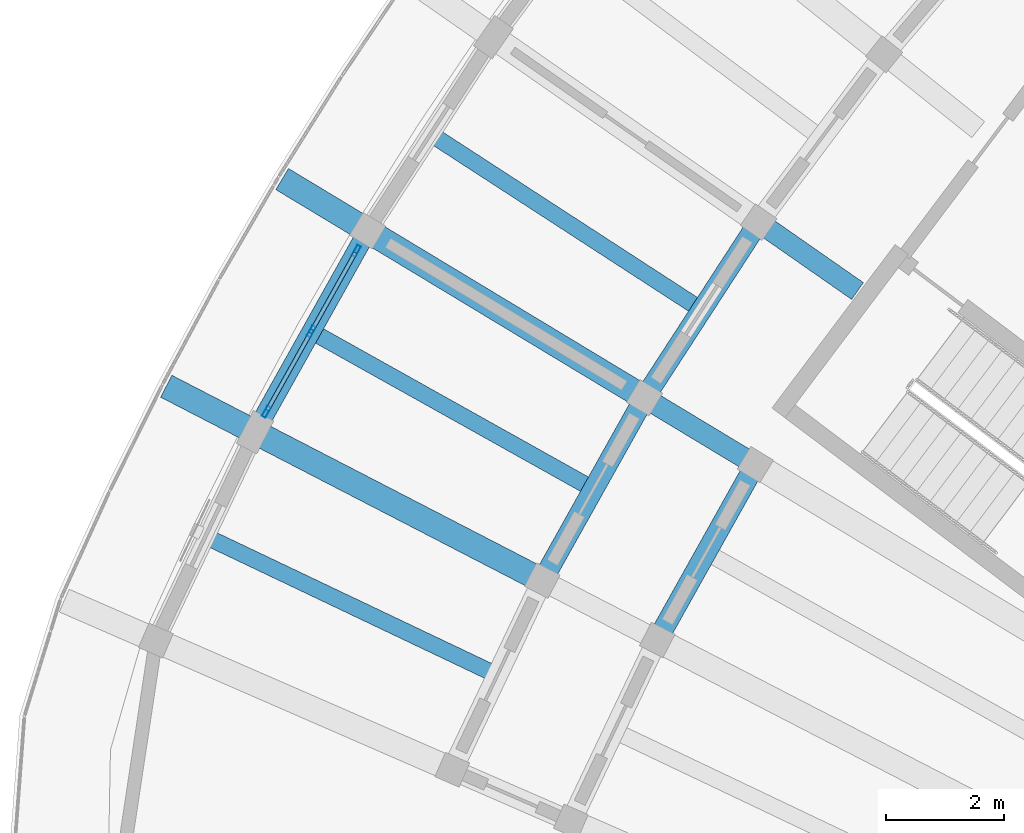
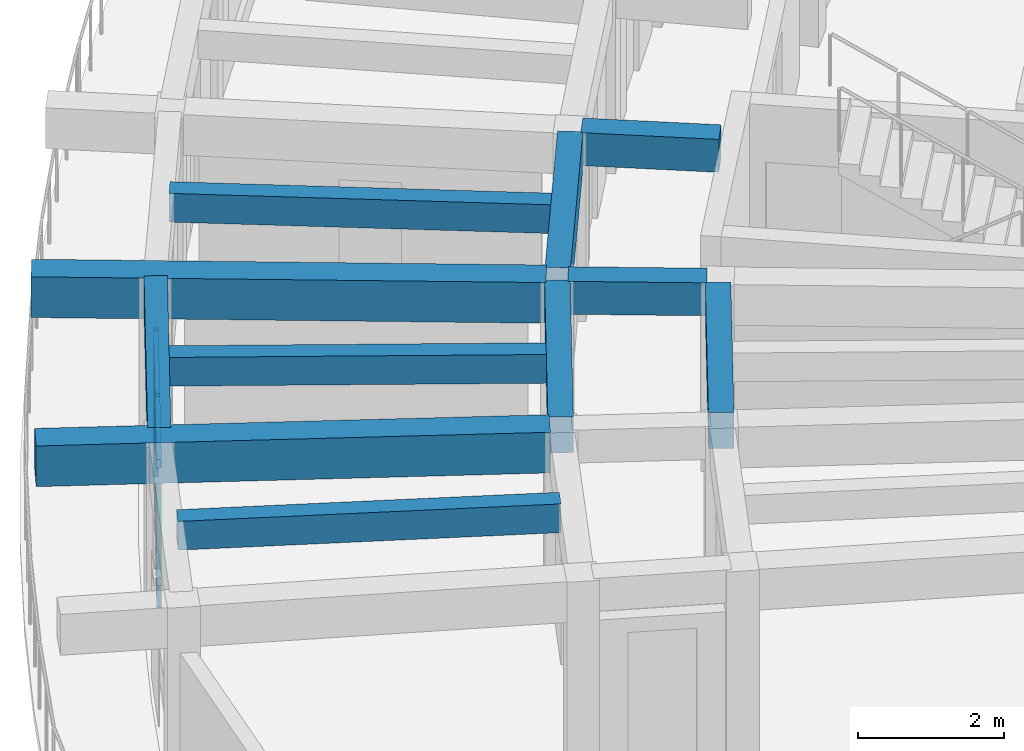
# One storey, part 3 of 36: 11 beams, 9 members, 1 element without a shape of its own.
"""IFC4 building model written with IfcOpenShell, lengths in metres."""

from ifc_helpers import new_model, si_unit, direction, frame, origin, origin_2d, place, context, subcontext, project, spatial, rectangle, hollow_rectangle, extrude, material, material_profile, profile_set, type_object, element, aggregate, save


model = new_model("IFC4")

# Units and contexts
model_context = context("Model", 3, precision=1e-05, world=origin(), true_north=direction((0.0, 1.0)))
body_context = subcontext(model_context, "Body", "Model", "MODEL_VIEW")
ifc_project = project(units=[si_unit("LENGTHUNIT", "METRE"), si_unit("AREAUNIT", "SQUARE_METRE"), si_unit("VOLUMEUNIT", "CUBIC_METRE"), si_unit("PLANEANGLEUNIT", "RADIAN"), si_unit("MASSUNIT", "GRAM", prefix="KILO")], contexts=[model_context])

# Site, building, storey
site_placement = place(None, origin())
site = spatial("IfcSite", under=ifc_project, at=site_placement, CompositionType="ELEMENT")
building_placement = place(site_placement, origin())
building = spatial("IfcBuilding", under=site, at=building_placement, Name="Tanwirah Colonnade Gardens", CompositionType="ELEMENT")
storey_placement = place(building_placement, frame((0.0, 0.0, 39.080078125)))
storey = spatial("IfcBuildingStorey", under=building, at=storey_placement, Name="L11", CompositionType="ELEMENT", Elevation=39.080078125)

# Beams
ifc_material_1 = material(Name="Precast concrete C40/50", Category="concrete")
ifc_material_profile_1 = material_profile(ifc_material_1, rectangle(XDim=0.35009765625, YDim=0.550048828125, at=origin_2d()), Name="PC-BM 350x550")
ifc_profile_set_1 = profile_set([ifc_material_profile_1], Name="Precast concrete C40/50")
beam_type_1 = type_object("IfcBeamType", Name="BM-PC350A", PredefinedType="BEAM", material=ifc_profile_set_1)
for number, where, z_axis, x_axis, name in (
    (1, (22.346435546875, 89.943359375, 2.844970703125), (-0.820305001782, 0.571926309983, 0.0), (-0.571926309983, -0.820305001782, 0.0), "Block A L11 Corridor Tie Beam 13"),
    (2, (20.479248046875, 87.068359375, 2.844970703125), (-0.856174920318, 0.516686080534, 0.0), (-0.516686080534, -0.856174920318, 0.0), "Block A L11 Corridor Tie Beam 14"),
):
    element("IfcBeam", number, at=place(storey_placement, frame(where, z_axis=z_axis, x_axis=x_axis)), inside=storey, type_object=beam_type_1, Name=name, PredefinedType="BEAM", context=body_context, shape_type="SweptSolid", body=[
        extrude(rectangle(XDim=0.35009765625, YDim=0.550048828125, at=origin_2d()), origin(), (0.0, 0.0, 1.0), 1.89990234375),
    ])
ifc_material_profile_2 = material_profile(ifc_material_1, rectangle(XDim=0.35009765625, YDim=0.60009765625, at=origin_2d()), Name="PC-BM 350x600")
ifc_profile_set_2 = profile_set([ifc_material_profile_2], Name="Precast concrete C40/50")
beam_type_2 = type_object("IfcBeamType", Name="BM-PC350B", PredefinedType="BEAM", material=ifc_profile_set_2)
beam_1_placement = place(storey_placement, frame((20.5830078125, 90.989990234375, 2.81982421875), z_axis=(-0.544627998385, -0.838677735114, 0.0), x_axis=(0.838677735114, -0.544627998385, 0.0)))
element("IfcBeam", 3, at=beam_1_placement, inside=storey, type_object=beam_type_2, Name="Block A L11 Circumferential Beam 13-R2", PredefinedType="BEAM", context=body_context, shape_type="SweptSolid", body=[
    extrude(rectangle(XDim=0.35009765625, YDim=0.60009765625, at=origin_2d()), origin(), (0.0, 0.0, 1.0), 3.262939453125),
])
beam_2_placement = place(storey_placement, frame((20.534423828125, 86.85986328125, 2.81982421875), z_axis=(-0.488200372352, -0.872731571811, 0.0), x_axis=(0.872731571811, -0.488200372352, 0.0)))
element("IfcBeam", 4, at=beam_2_placement, inside=storey, type_object=beam_type_2, Name="Block A L11 Circumferential Beam 14-R1", PredefinedType="BEAM", context=body_context, shape_type="SweptSolid", body=[
    extrude(rectangle(XDim=0.35009765625, YDim=0.60009765625, at=origin_2d()), origin(), (0.0, 0.0, 1.0), 3.117919921875),
])
beam_3_placement = place(storey_placement, frame((18.65087890625, 87.99658203125, 2.81982421875), z_axis=(-0.488213717102, -0.87272410671, 0.0), x_axis=(0.87272410671, -0.488213717102, 0.0)))
element("IfcBeam", 5, at=beam_3_placement, inside=storey, type_object=beam_type_2, Name="Block A L11 Circumferential Beam 14-R2", PredefinedType="BEAM", context=body_context, shape_type="SweptSolid", body=[
    extrude(rectangle(XDim=0.35009765625, YDim=0.60009765625, at=origin_2d()), origin(), (0.0, 0.0, 1.0), 3.262939453125),
])
ifc_material_2 = material(Name="Precast concrete C45/55", Category="concrete")
ifc_material_profile_3 = material_profile(ifc_material_2, rectangle(XDim=0.419921875, YDim=0.679931640625, at=origin_2d()), Name="PC-BM 420x680")
ifc_profile_set_3 = profile_set([ifc_material_profile_3], Name="Precast concrete C45/55")
beam_type_3 = type_object("IfcBeamType", Name="BM-PC420", PredefinedType="BEAM", material=ifc_profile_set_3)
beam_4_placement = place(storey_placement, frame((18.595703125, 88.205078125, 2.780029296875), z_axis=(-0.856157813984, 0.516714425533, 0.0), x_axis=(-0.516714425533, -0.856157813984, 0.0)))
element("IfcBeam", 6, at=beam_4_placement, inside=storey, type_object=beam_type_3, Name="Block A L11 Outer Radial Precast Girder 14", PredefinedType="BEAM", context=body_context, shape_type="SweptSolid", body=[
    extrude(rectangle(XDim=0.419921875, YDim=0.679931640625, at=origin_2d()), origin(), (0.0, 0.0, 1.0), 7.050048828125),
])
beam_5_placement = place(storey_placement, frame((16.851318359375, 85.0869140625, 2.780029296875), z_axis=(-0.888348690665, 0.459169471758, 0.0), x_axis=(-0.459169471758, -0.888348690665, 0.0)))
element("IfcBeam", 7, at=beam_5_placement, inside=storey, type_object=beam_type_3, Name="Block A L11 Outer Radial Precast Girder 15", PredefinedType="BEAM", context=body_context, shape_type="SweptSolid", body=[
    extrude(rectangle(XDim=0.419921875, YDim=0.679931640625, at=origin_2d()), origin(), (0.0, 0.0, 1.0), 7.0498046875),
])

# Curtain wall, members
ifc_material_3 = material(Name="Bronze-anodised aluminium and solar-control low-E glass", Category="aluminium")
curtain_wall_type = type_object("IfcCurtainWallType", Name="CW-LOB", PredefinedType="NOTDEFINED", material=ifc_material_3)
curtain_wall_placement = place(storey_placement, origin())
curtain_wall = element("IfcCurtainWall", 8, at=curtain_wall_placement, inside=storey, type_object=curtain_wall_type, Name="Curtain Wall CW-A-L11-OUT-14", PredefinedType="NOTDEFINED")
ifc_material_4 = material(Name="Bronze-anodised aluminium", Category="aluminium")
ifc_material_profile_4 = material_profile(ifc_material_4, hollow_rectangle(XDim=0.070068359375, YDim=0.199951171875, WallThickness=0.00390625, at=origin_2d()), Name="CW-MUL 70x200x4")
ifc_profile_set_4 = profile_set([ifc_material_profile_4], Name="Bronze-anodised aluminium")
member_type_1 = type_object("IfcMemberType", Name="CWM-70x200", PredefinedType="MULLION", material=ifc_profile_set_4)
member_1_placement = place(storey_placement, frame((13.822509765625, 90.624755859375, 0.0), z_axis=(0.0, 0.0, 1.0), x_axis=(0.872732421781, -0.488198852899, 0.0)))
member_1 = element("IfcMember", 9, at=member_1_placement, type_object=member_type_1, Name="CW-LOB mullion 1", PredefinedType="MULLION", context=body_context, shape_type="SweptSolid", body=[
    extrude(hollow_rectangle(XDim=0.070068359375, YDim=0.199951171875, WallThickness=0.00390625, at=origin_2d()), origin(), (0.0, 0.0, 1.0), 2.35498046875),
])
member_2_placement = place(storey_placement, frame((13.056884765625, 89.25634765625, 0.0), z_axis=(0.0, 0.0, 1.0), x_axis=(0.872732421781, -0.488198852899, 0.0)))
member_2 = element("IfcMember", 10, at=member_2_placement, type_object=member_type_1, Name="CW-LOB mullion 2", PredefinedType="MULLION", context=body_context, shape_type="SweptSolid", body=[
    extrude(hollow_rectangle(XDim=0.070068359375, YDim=0.199951171875, WallThickness=0.00390625, at=origin_2d()), origin(), (0.0, 0.0, 1.0), 2.35498046875),
])
member_3_placement = place(storey_placement, frame((12.29150390625, 87.88818359375, 0.0), z_axis=(0.0, 0.0, 1.0), x_axis=(0.872732421781, -0.488198852899, 0.0)))
member_3 = element("IfcMember", 11, at=member_3_placement, type_object=member_type_1, Name="CW-LOB mullion 3", PredefinedType="MULLION", context=body_context, shape_type="SweptSolid", body=[
    extrude(hollow_rectangle(XDim=0.070068359375, YDim=0.199951171875, WallThickness=0.00390625, at=origin_2d()), origin(), (0.0, 0.0, 1.0), 2.35498046875),
])
ifc_material_profile_5 = material_profile(ifc_material_4, hollow_rectangle(XDim=0.070068359375, YDim=0.14990234375, WallThickness=0.00390625, at=origin_2d()), Name="CW-TRN 70x150x4")
ifc_profile_set_5 = profile_set([ifc_material_profile_5], Name="Bronze-anodised aluminium")
member_type_2 = type_object("IfcMemberType", Name="CWT-70x150", PredefinedType="USERDEFINED", material=ifc_profile_set_5)
member_4_placement = place(storey_placement, frame((13.805419921875, 90.59423828125, 0.034912109375), z_axis=(-0.488255953551, -0.872700477725, 0.0), x_axis=(0.872700477725, -0.488255953551, 0.0)))
member_4 = element("IfcMember", 12, at=member_4_placement, type_object=member_type_2, Name="CW-LOB transom 1.1", ObjectType="TRANSOM", PredefinedType="USERDEFINED", context=body_context, shape_type="SweptSolid", body=[
    extrude(hollow_rectangle(XDim=0.070068359375, YDim=0.14990234375, WallThickness=0.00390625, at=origin_2d()), origin(), (0.0, 0.0, 1.0), 1.498046875),
])
member_5_placement = place(storey_placement, frame((13.805419921875, 90.59423828125, 1.4599609375), z_axis=(-0.488255953551, -0.872700477725, 0.0), x_axis=(0.872700477725, -0.488255953551, 0.0)))
member_5 = element("IfcMember", 13, at=member_5_placement, type_object=member_type_2, Name="CW-LOB transom 1.2", ObjectType="TRANSOM", PredefinedType="USERDEFINED", context=body_context, shape_type="SweptSolid", body=[
    extrude(hollow_rectangle(XDim=0.070068359375, YDim=0.14990234375, WallThickness=0.00390625, at=origin_2d()), origin(), (0.0, 0.0, 1.0), 1.498046875),
])
member_6_placement = place(storey_placement, frame((13.805419921875, 90.59423828125, 2.31982421875), z_axis=(-0.488255953551, -0.872700477725, 0.0), x_axis=(0.872700477725, -0.488255953551, 0.0)))
member_6 = element("IfcMember", 14, at=member_6_placement, type_object=member_type_2, Name="CW-LOB transom 1.3", ObjectType="TRANSOM", PredefinedType="USERDEFINED", context=body_context, shape_type="SweptSolid", body=[
    extrude(hollow_rectangle(XDim=0.070068359375, YDim=0.14990234375, WallThickness=0.00390625, at=origin_2d()), origin(), (0.0, 0.0, 1.0), 1.498046875),
])
member_7_placement = place(storey_placement, frame((13.039794921875, 89.225830078125, 0.034912109375), z_axis=(-0.488201263468, -0.872731073325, 0.0), x_axis=(0.872731073325, -0.488201263468, 0.0)))
member_7 = element("IfcMember", 15, at=member_7_placement, type_object=member_type_2, Name="CW-LOB transom 2.1", ObjectType="TRANSOM", PredefinedType="USERDEFINED", context=body_context, shape_type="SweptSolid", body=[
    extrude(hollow_rectangle(XDim=0.070068359375, YDim=0.14990234375, WallThickness=0.00390625, at=origin_2d()), origin(), (0.0, 0.0, 1.0), 1.497802734375),
])
member_8_placement = place(storey_placement, frame((13.039794921875, 89.225830078125, 1.4599609375), z_axis=(-0.488201263468, -0.872731073325, 0.0), x_axis=(0.872731073325, -0.488201263468, 0.0)))
member_8 = element("IfcMember", 16, at=member_8_placement, type_object=member_type_2, Name="CW-LOB transom 2.2", ObjectType="TRANSOM", PredefinedType="USERDEFINED", context=body_context, shape_type="SweptSolid", body=[
    extrude(hollow_rectangle(XDim=0.070068359375, YDim=0.14990234375, WallThickness=0.00390625, at=origin_2d()), origin(), (0.0, 0.0, 1.0), 1.497802734375),
])
member_9_placement = place(storey_placement, frame((13.039794921875, 89.225830078125, 2.31982421875), z_axis=(-0.488201263468, -0.872731073325, 0.0), x_axis=(0.872731073325, -0.488201263468, 0.0)))
member_9 = element("IfcMember", 17, at=member_9_placement, type_object=member_type_2, Name="CW-LOB transom 2.3", ObjectType="TRANSOM", PredefinedType="USERDEFINED", context=body_context, shape_type="SweptSolid", body=[
    extrude(hollow_rectangle(XDim=0.070068359375, YDim=0.14990234375, WallThickness=0.00390625, at=origin_2d()), origin(), (0.0, 0.0, 1.0), 1.497802734375),
])
aggregate(curtain_wall, [member_1, member_2, member_3, member_4, member_5, member_6, member_7, member_8, member_9])

# Beams
ifc_material_profile_6 = material_profile(ifc_material_1, rectangle(XDim=0.280029296875, YDim=0.47998046875, at=origin_2d()), Name="PC-JST 280x480")
ifc_profile_set_6 = profile_set([ifc_material_profile_6], Name="Precast concrete C40/50")
beam_type_4 = type_object("IfcBeamType", Name="JST-PC280", PredefinedType="JOIST", material=ifc_profile_set_6)
beam_6_placement = place(storey_placement, frame((19.5693359375, 89.703125, 2.8798828125), z_axis=(-0.83868742622, 0.544613074669, 0.0), x_axis=(-0.544613074669, -0.83868742622, 0.0)))
element("IfcBeam", 18, at=beam_6_placement, inside=storey, type_object=beam_type_4, Name="Block A L11 Precast Floor Joist 13", PredefinedType="JOIST", context=body_context, shape_type="SweptSolid", body=[
    extrude(rectangle(XDim=0.280029296875, YDim=0.47998046875, at=origin_2d()), origin(), (0.0, 0.0, 1.0), 5.26025390625),
])
beam_7_placement = place(storey_placement, frame((17.72412109375, 86.645751953125, 2.8798828125), z_axis=(-0.872737031138, 0.488190612855, 0.0), x_axis=(-0.488190612855, -0.872737031138, 0.0)))
element("IfcBeam", 19, at=beam_7_placement, inside=storey, type_object=beam_type_4, Name="Block A L11 Precast Floor Joist 14", PredefinedType="JOIST", context=body_context, shape_type="SweptSolid", body=[
    extrude(rectangle(XDim=0.280029296875, YDim=0.47998046875, at=origin_2d()), origin(), (0.0, 0.0, 1.0), 5.260009765625),
])
beam_8_placement = place(storey_placement, frame((16.08447265625, 83.473388671875, 2.8798828125), z_axis=(-0.903018314862, 0.429602051931, 0.0), x_axis=(-0.429602051931, -0.903018314862, 0.0)))
element("IfcBeam", 20, at=beam_8_placement, inside=storey, type_object=beam_type_4, Name="Block A L11 Precast Floor Joist 15", PredefinedType="JOIST", context=body_context, shape_type="SweptSolid", body=[
    extrude(rectangle(XDim=0.280029296875, YDim=0.47998046875, at=origin_2d()), origin(), (0.0, 0.0, 1.0), 5.26025390625),
])
ifc_material_profile_7 = material_profile(ifc_material_2, rectangle(XDim=0.320068359375, YDim=0.679931640625, at=origin_2d()), Name="PC-SP 320x680")
ifc_profile_set_7 = profile_set([ifc_material_profile_7], Name="Precast concrete C45/55")
beam_type_5 = type_object("IfcBeamType", Name="SP-PC320", PredefinedType="SPANDREL", material=ifc_profile_set_7)
beam_9_placement = place(storey_placement, frame((13.942138671875, 90.838623046875, 2.780029296875), z_axis=(-0.488236312193, -0.872711466326, 0.0), x_axis=(0.872711466326, -0.488236312193, 0.0)))
element("IfcBeam", 21, at=beam_9_placement, inside=storey, type_object=beam_type_5, Name="Block A L11 Circumferential Beam 14-R3", PredefinedType="SPANDREL", context=body_context, shape_type="SweptSolid", body=[
    extrude(rectangle(XDim=0.320068359375, YDim=0.679931640625, at=origin_2d()), origin(), (0.0, 0.0, 1.0), 3.625732421875),
])

save(model, "model.ifc")
